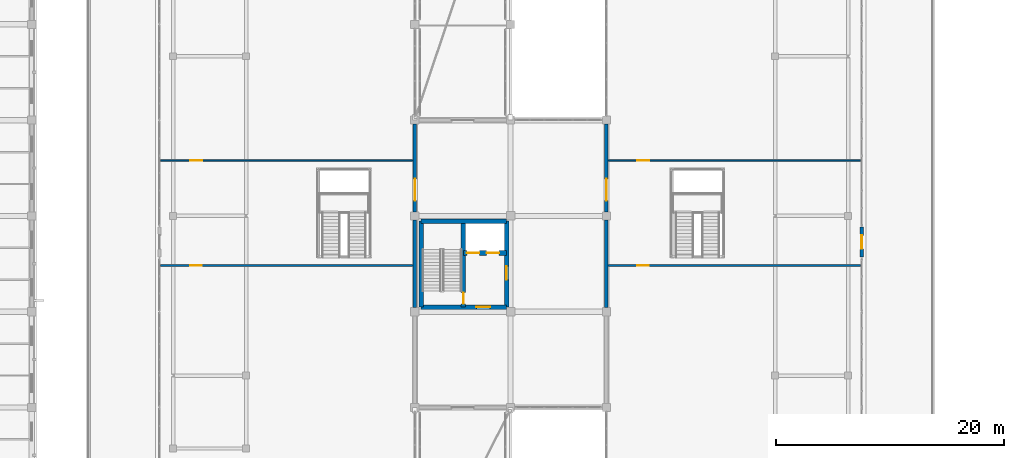
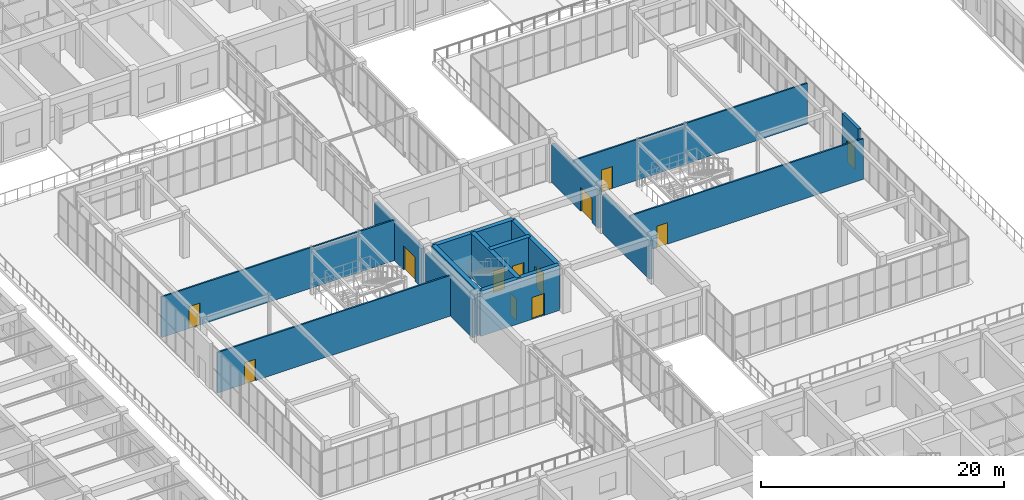
# One storey, part 124 of 158: 15 walls, 12 doors, 12 openings.
"""IFC4 building model written with IfcOpenShell, lengths in metres."""

from ifc_helpers import new_model, si_unit, direction, frame, frame_2d, origin, place, context, subcontext, project, spatial, rectangle, extrude, material, layer, layer_set, type_object, element, fill, save


model = new_model("IFC4")

# Units and contexts
model_context = context("Model", 3, precision=1e-05, world=origin(), true_north=direction((0.0, 1.0)))
body_context = subcontext(model_context, "Body", "Model", "MODEL_VIEW")
ifc_project = project(units=[si_unit("LENGTHUNIT", "METRE"), si_unit("AREAUNIT", "SQUARE_METRE"), si_unit("VOLUMEUNIT", "CUBIC_METRE"), si_unit("PLANEANGLEUNIT", "RADIAN"), si_unit("MASSUNIT", "GRAM", prefix="KILO")], contexts=[model_context])

# Site, building, storey
site_placement = place(None, origin())
site = spatial("IfcSite", under=ifc_project, at=site_placement, CompositionType="ELEMENT")
building_placement = place(site_placement, origin())
building = spatial("IfcBuilding", under=site, at=building_placement, Name="Trelvath General Hospital", CompositionType="ELEMENT")
storey_placement = place(building_placement, frame((0.0, 0.0, 8.10009765625)))
storey = spatial("IfcBuildingStorey", under=building, at=storey_placement, Name="L02", CompositionType="ELEMENT", Elevation=8.10009765625)

# Wall, opening, door
ifc_material_1 = material(Name="Gypsum acoustic steel-stud partition", Category="steel")
ifc_layer_1 = layer(ifc_material_1, 0.14990234375)
ifc_layer_set_1 = layer_set([ifc_layer_1], Name="Gypsum acoustic steel-stud partition")
wall_type_1 = type_object("IfcWallType", Name="ClinicalPartition 150", PredefinedType="PARTITIONING", material=ifc_layer_set_1)
wall_1_placement = place(storey_placement, frame((53.300048828125, 54.449951171875, 0.0), z_axis=(0.0, 0.0, 1.0), x_axis=(1.0, 0.0, 0.0)))
wall_1 = element("IfcWall", 1, at=wall_1_placement, inside=storey, type_object=wall_type_1, Name="Cube Clinic CUBE-W Partition L02-1050", PredefinedType="PARTITIONING", context=body_context, shape_type="SweptSolid", body=[
    extrude(rectangle(XDim=22.199951171875, YDim=0.14990234375, at=frame_2d((11.10009765625, 0.0))), origin(), (0.0, 0.0, 1.0), 4.08984375),
])
opening_1_placement = place(wall_1_placement, frame((2.60009765625, 0.0, 0.0)))
opening_1 = element("IfcOpeningElement", 2, at=opening_1_placement, cuts=wall_1, Name="Opening DC-2-0809", PredefinedType="OPENING", context=body_context, shape_type="SweptSolid", body=[
    extrude(rectangle(XDim=1.0, YDim=2.14990234375, at=frame_2d((0.5, 1.074951171875))), frame((0.0, 0.0849609375, 0.0), z_axis=(0.0, -1.0, 0.0), x_axis=(1.0, 0.0, 0.0)), (0.0, 0.0, 1.0), 0.169921875),
])
ifc_material_2 = material(Name="Acoustic hospital timber leaf", Category="wood")
door_type_1 = type_object("IfcDoorType", Name="Door Consult 1000x2150", OperationType="NOTDEFINED", PredefinedType="DOOR", material=ifc_material_2)
door_1_placement = place(opening_1_placement, origin())
door_1 = element("IfcDoor", 3, at=door_1_placement, inside=storey, type_object=door_type_1, Name="Cube Clinic CUBE-W Door L02-809", OperationType="SINGLE_SWING_LEFT", OverallHeight=2.14990234375, OverallWidth=1.0, PredefinedType="DOOR", context=body_context, shape_type="SweptSolid", body=[
    extrude(rectangle(XDim=1.0, YDim=2.14990234375, at=frame_2d((0.5, 1.074951171875))), frame((0.0, 0.02490234375, 0.0), z_axis=(0.0, -1.0, 0.0), x_axis=(1.0, 0.0, 0.0)), (0.0, 0.0, 1.0), 0.050048828125),
])
fill(opening_1, door_1)

wall_2_placement = place(storey_placement, frame((53.300048828125, 63.64990234375, 0.0), z_axis=(0.0, 0.0, 1.0), x_axis=(1.0, 0.0, 0.0)))
wall_2 = element("IfcWall", 4, at=wall_2_placement, inside=storey, type_object=wall_type_1, Name="Cube Clinic CUBE-W Partition L02-1051", PredefinedType="PARTITIONING", context=body_context, shape_type="SweptSolid", body=[
    extrude(rectangle(XDim=22.199951171875, YDim=0.14990234375, at=frame_2d((11.10009765625, 0.0))), origin(), (0.0, 0.0, 1.0), 4.08984375),
])
opening_2_placement = place(wall_2_placement, frame((2.60009765625, 0.0, 0.0)))
opening_2 = element("IfcOpeningElement", 5, at=opening_2_placement, cuts=wall_2, Name="Opening DC-2-0810", PredefinedType="OPENING", context=body_context, shape_type="SweptSolid", body=[
    extrude(rectangle(XDim=1.050048828125, YDim=2.199951171875, at=frame_2d((0.52490234375, 1.10009765625))), frame((0.0, 0.0849609375, 0.0), z_axis=(0.0, -1.0, 0.0), x_axis=(1.0, 0.0, 0.0)), (0.0, 0.0, 1.0), 0.169921875),
])
ifc_material_3 = material(Name="Acoustic hospital timber leaf", Category="wood")
door_type_2 = type_object("IfcDoorType", Name="Door Consult 1050x2200", OperationType="NOTDEFINED", PredefinedType="DOOR", material=ifc_material_3)
door_2_placement = place(opening_2_placement, origin())
door_2 = element("IfcDoor", 6, at=door_2_placement, inside=storey, type_object=door_type_2, Name="Cube Clinic CUBE-W Door L02-810", OperationType="SINGLE_SWING_RIGHT", OverallHeight=2.199951171875, OverallWidth=1.050048828125, PredefinedType="DOOR", context=body_context, shape_type="SweptSolid", body=[
    extrude(rectangle(XDim=1.050048828125, YDim=2.199951171875, at=frame_2d((0.52490234375, 1.10009765625))), frame((0.0, 0.02490234375, 0.0), z_axis=(0.0, -1.0, 0.0), x_axis=(1.0, 0.0, 0.0)), (0.0, 0.0, 1.0), 0.050048828125),
])
fill(opening_2, door_2)

wall_3_placement = place(storey_placement, frame((92.5, 54.449951171875, 0.0), z_axis=(0.0, 0.0, 1.0), x_axis=(1.0, 0.0, 0.0)))
wall_3 = element("IfcWall", 7, at=wall_3_placement, inside=storey, type_object=wall_type_1, Name="Cube Clinic CUBE-E Partition L02-1052", PredefinedType="PARTITIONING", context=body_context, shape_type="SweptSolid", body=[
    extrude(rectangle(XDim=22.199951171875, YDim=0.14990234375, at=frame_2d((11.10009765625, 0.0))), origin(), (0.0, 0.0, 1.0), 4.08984375),
])
opening_3_placement = place(wall_3_placement, frame((2.60009765625, 0.0, 0.0)))
opening_3 = element("IfcOpeningElement", 8, at=opening_3_placement, cuts=wall_3, Name="Opening DC-2-0811", PredefinedType="OPENING", context=body_context, shape_type="SweptSolid", body=[
    extrude(rectangle(XDim=1.0, YDim=2.14990234375, at=frame_2d((0.5, 1.074951171875))), frame((0.0, 0.0849609375, 0.0), z_axis=(0.0, -1.0, 0.0), x_axis=(1.0, 0.0, 0.0)), (0.0, 0.0, 1.0), 0.169921875),
])
door_3_placement = place(opening_3_placement, origin())
door_3 = element("IfcDoor", 9, at=door_3_placement, inside=storey, type_object=door_type_1, Name="Cube Clinic CUBE-E Door L02-811", OperationType="SINGLE_SWING_LEFT", OverallHeight=2.14990234375, OverallWidth=1.0, PredefinedType="DOOR", context=body_context, shape_type="SweptSolid", body=[
    extrude(rectangle(XDim=1.0, YDim=2.14990234375, at=frame_2d((0.5, 1.074951171875))), frame((0.0, 0.02490234375, 0.0), z_axis=(0.0, -1.0, 0.0), x_axis=(1.0, 0.0, 0.0)), (0.0, 0.0, 1.0), 0.050048828125),
])
fill(opening_3, door_3)

wall_4_placement = place(storey_placement, frame((92.5, 63.64990234375, 0.0), z_axis=(0.0, 0.0, 1.0), x_axis=(1.0, 0.0, 0.0)))
wall_4 = element("IfcWall", 10, at=wall_4_placement, inside=storey, type_object=wall_type_1, Name="Cube Clinic CUBE-E Partition L02-1053", PredefinedType="PARTITIONING", context=body_context, shape_type="SweptSolid", body=[
    extrude(rectangle(XDim=22.199951171875, YDim=0.14990234375, at=frame_2d((11.10009765625, 0.0))), origin(), (0.0, 0.0, 1.0), 4.08984375),
])
opening_4_placement = place(wall_4_placement, frame((2.60009765625, 0.0, 0.0)))
opening_4 = element("IfcOpeningElement", 11, at=opening_4_placement, cuts=wall_4, Name="Opening DC-2-0812", PredefinedType="OPENING", context=body_context, shape_type="SweptSolid", body=[
    extrude(rectangle(XDim=1.050048828125, YDim=2.199951171875, at=frame_2d((0.52490234375, 1.10009765625))), frame((0.0, 0.0849609375, 0.0), z_axis=(0.0, -1.0, 0.0), x_axis=(1.0, 0.0, 0.0)), (0.0, 0.0, 1.0), 0.169921875),
])
door_4_placement = place(opening_4_placement, origin())
door_4 = element("IfcDoor", 12, at=door_4_placement, inside=storey, type_object=door_type_2, Name="Cube Clinic CUBE-E Door L02-812", OperationType="SINGLE_SWING_RIGHT", OverallHeight=2.199951171875, OverallWidth=1.050048828125, PredefinedType="DOOR", context=body_context, shape_type="SweptSolid", body=[
    extrude(rectangle(XDim=1.050048828125, YDim=2.199951171875, at=frame_2d((0.52490234375, 1.10009765625))), frame((0.0, 0.02490234375, 0.0), z_axis=(0.0, -1.0, 0.0), x_axis=(1.0, 0.0, 0.0)), (0.0, 0.0, 1.0), 0.050048828125),
])
fill(opening_4, door_4)

ifc_material_4 = material(Name="Concrete C40/50", Category="concrete")
ifc_layer_2 = layer(ifc_material_4, 0.39990234375)
ifc_layer_set_2 = layer_set([ifc_layer_2], Name="Concrete C40/50")
wall_type_2 = type_object("IfcWallType", Name="CoreShearWall 400", PredefinedType="SHEAR", material=ifc_layer_set_2)
wall_5_placement = place(storey_placement, frame((76.14990234375, 50.800048828125, 0.0), z_axis=(0.0, 0.0, 1.0), x_axis=(1.0, 0.0, 0.0)))
wall_5 = element("IfcWall", 13, at=wall_5_placement, inside=storey, type_object=wall_type_2, Name="Core Shear Wall C6 S L02", PredefinedType="SHEAR", context=body_context, shape_type="SweptSolid", body=[
    extrude(rectangle(XDim=7.5, YDim=0.39990234375, at=frame_2d((3.75, 0.0))), origin(), (0.0, 0.0, 1.0), 4.52001953125),
])
opening_5_placement = place(wall_5_placement, frame((4.85009765625, 0.0, 0.0)))
opening_5 = element("IfcOpeningElement", 14, at=opening_5_placement, cuts=wall_5, Name="Opening FD-LS62", PredefinedType="OPENING", context=body_context, shape_type="SweptSolid", body=[
    extrude(rectangle(XDim=1.199951171875, YDim=2.199951171875, at=frame_2d((0.60009765625, 1.10009765625))), frame((0.0, 0.2099609375, 0.0), z_axis=(0.0, -1.0, 0.0), x_axis=(1.0, 0.0, 0.0)), (0.0, 0.0, 1.0), 0.419921875),
])
ifc_material_5 = material(Name="Fire-rated steel door", Category="steel")
door_type_3 = type_object("IfcDoorType", Name="Door FireLobby 1200x2200", OperationType="NOTDEFINED", PredefinedType="DOOR", material=ifc_material_5)
door_5_placement = place(opening_5_placement, origin())
door_5 = element("IfcDoor", 15, at=door_5_placement, inside=storey, type_object=door_type_3, Name="Fire Lobby South Concourse Door C6 L02", OperationType="SINGLE_SWING_LEFT", OverallHeight=2.199951171875, OverallWidth=1.199951171875, PredefinedType="DOOR", context=body_context, shape_type="SweptSolid", body=[
    extrude(rectangle(XDim=1.199951171875, YDim=2.199951171875, at=frame_2d((0.60009765625, 1.10009765625))), frame((0.0, 0.02490234375, 0.0), z_axis=(0.0, -1.0, 0.0), x_axis=(1.0, 0.0, 0.0)), (0.0, 0.0, 1.0), 0.050048828125),
])
fill(opening_5, door_5)

# Walls
wall_6_placement = place(storey_placement, frame((76.14990234375, 58.35009765625, 0.0), z_axis=(0.0, 0.0, 1.0), x_axis=(1.0, 0.0, 0.0)))
element("IfcWall", 16, at=wall_6_placement, inside=storey, type_object=wall_type_2, Name="Core Shear Wall C6 N L02", PredefinedType="SHEAR", context=body_context, shape_type="SweptSolid", body=[
    extrude(rectangle(XDim=7.5, YDim=0.39990234375, at=frame_2d((3.75, 0.0))), origin(), (0.0, 0.0, 1.0), 4.52001953125),
])
wall_7_placement = place(storey_placement, frame((76.14990234375, 50.800048828125, 0.0), z_axis=(0.0, 0.0, 1.0), x_axis=(0.0, 1.0, 0.0)))
element("IfcWall", 17, at=wall_7_placement, inside=storey, type_object=wall_type_2, Name="Core Shear Wall C6 W L02", PredefinedType="SHEAR", context=body_context, shape_type="SweptSolid", body=[
    extrude(rectangle(XDim=7.550048828125, YDim=0.39990234375, at=frame_2d((3.77490234375, 0.0))), origin(), (0.0, 0.0, 1.0), 4.52001953125),
])

# Wall, opening, door
wall_8_placement = place(storey_placement, frame((83.64990234375, 50.800048828125, 0.0), z_axis=(0.0, 0.0, 1.0), x_axis=(0.0, 1.0, 0.0)))
wall_8 = element("IfcWall", 18, at=wall_8_placement, inside=storey, type_object=wall_type_2, Name="Core Shear Wall C6 E L02", PredefinedType="SHEAR", context=body_context, shape_type="SweptSolid", body=[
    extrude(rectangle(XDim=7.550048828125, YDim=0.39990234375, at=frame_2d((3.77490234375, 0.0))), origin(), (0.0, 0.0, 1.0), 4.52001953125),
])
opening_6_placement = place(wall_8_placement, frame((2.39990234375, 0.0, 0.0)))
opening_6 = element("IfcOpeningElement", 19, at=opening_6_placement, cuts=wall_8, Name="Opening FD-LE62", PredefinedType="OPENING", context=body_context, shape_type="SweptSolid", body=[
    extrude(rectangle(XDim=1.199951171875, YDim=2.199951171875, at=frame_2d((0.60009765625, 1.10009765625))), frame((0.0, 0.2099609375, 0.0), z_axis=(0.0, -1.0, 0.0), x_axis=(1.0, 0.0, 0.0)), (0.0, 0.0, 1.0), 0.419921875),
])
door_6_placement = place(opening_6_placement, origin())
door_6 = element("IfcDoor", 20, at=door_6_placement, inside=storey, type_object=door_type_3, Name="Fire Lobby East Corridor Door C6 L02", OperationType="SINGLE_SWING_RIGHT", OverallHeight=2.199951171875, OverallWidth=1.199951171875, PredefinedType="DOOR", context=body_context, shape_type="SweptSolid", body=[
    extrude(rectangle(XDim=1.199951171875, YDim=2.199951171875, at=frame_2d((0.60009765625, 1.10009765625))), frame((0.0, 0.02490234375, 0.0), z_axis=(0.0, -1.0, 0.0), x_axis=(1.0, 0.0, 0.0)), (0.0, 0.0, 1.0), 0.050048828125),
])
fill(opening_6, door_6)

wall_9_placement = place(storey_placement, frame((79.85009765625, 50.800048828125, 0.0), z_axis=(0.0, 0.0, 1.0), x_axis=(0.0, 1.0, 0.0)))
wall_9 = element("IfcWall", 21, at=wall_9_placement, inside=storey, type_object=wall_type_2, Name="Core Shear Wall C6 SPINE L02", PredefinedType="SHEAR", context=body_context, shape_type="SweptSolid", body=[
    extrude(rectangle(XDim=7.550048828125, YDim=0.39990234375, at=frame_2d((3.77490234375, 0.0))), origin(), (0.0, 0.0, 1.0), 4.52001953125),
])
opening_7_placement = place(wall_9_placement, frame((0.280029296875, 0.0, 0.0)))
opening_7 = element("IfcOpeningElement", 22, at=opening_7_placement, cuts=wall_9, Name="Opening FD-S62", PredefinedType="OPENING", context=body_context, shape_type="SweptSolid", body=[
    extrude(rectangle(XDim=1.0, YDim=2.14990234375, at=frame_2d((0.5, 1.074951171875))), frame((0.0, 0.2099609375, 0.0), z_axis=(0.0, -1.0, 0.0), x_axis=(1.0, 0.0, 0.0)), (0.0, 0.0, 1.0), 0.419921875),
])
ifc_material_6 = material(Name="Fire-rated steel door", Category="steel")
door_type_4 = type_object("IfcDoorType", Name="Door FireStair 1100x2150", OperationType="NOTDEFINED", PredefinedType="DOOR", material=ifc_material_6)
door_7_placement = place(opening_7_placement, origin())
door_7 = element("IfcDoor", 23, at=door_7_placement, inside=storey, type_object=door_type_4, Name="Exit Stair Door ST6 L02", OperationType="SINGLE_SWING_RIGHT", OverallHeight=2.14990234375, OverallWidth=1.0, PredefinedType="DOOR", context=body_context, shape_type="SweptSolid", body=[
    extrude(rectangle(XDim=1.0, YDim=2.14990234375, at=frame_2d((0.5, 1.074951171875))), frame((0.0, 0.02490234375, 0.0), z_axis=(0.0, -1.0, 0.0), x_axis=(1.0, 0.0, 0.0)), (0.0, 0.0, 1.0), 0.050048828125),
])
fill(opening_7, door_7)

# Wall, openings, doors
wall_10_placement = place(storey_placement, frame((79.85009765625, 55.550048828125, 0.0), z_axis=(0.0, 0.0, 1.0), x_axis=(1.0, 0.0, 0.0)))
wall_10 = element("IfcWall", 24, at=wall_10_placement, inside=storey, type_object=wall_type_2, Name="Core Shear Wall C6 SHAFT L02", PredefinedType="SHEAR", context=body_context, shape_type="SweptSolid", body=[
    extrude(rectangle(XDim=3.7998046875, YDim=0.39990234375, at=frame_2d((1.89990234375, 0.0))), origin(), (0.0, 0.0, 1.0), 4.52001953125),
])
opening_8_placement = place(wall_10_placement, frame((0.320068359375, 0.0, 0.0)))
opening_8 = element("IfcOpeningElement", 25, at=opening_8_placement, cuts=wall_10, Name="Opening LD-PA3-2", PredefinedType="OPENING", context=body_context, shape_type="SweptSolid", body=[
    extrude(rectangle(XDim=1.10009765625, YDim=2.14990234375, at=frame_2d((0.550048828125, 1.074951171875))), frame((0.0, 0.2099609375, 0.0), z_axis=(0.0, -1.0, 0.0), x_axis=(1.0, 0.0, 0.0)), (0.0, 0.0, 1.0), 0.419921875),
])
opening_9_placement = place(wall_10_placement, frame((2.0400390625, 0.0, 0.0)))
opening_9 = element("IfcOpeningElement", 26, at=opening_9_placement, cuts=wall_10, Name="Opening LD-PA4-2", PredefinedType="OPENING", context=body_context, shape_type="SweptSolid", body=[
    extrude(rectangle(XDim=1.10009765625, YDim=2.14990234375, at=frame_2d((0.550048828125, 1.074951171875))), frame((0.0, 0.2099609375, 0.0), z_axis=(0.0, -1.0, 0.0), x_axis=(1.0, 0.0, 0.0)), (0.0, 0.0, 1.0), 0.419921875),
])
ifc_material_7 = material(Name="Stainless steel lift landing sliding door", Category="steel")
door_type_5 = type_object("IfcDoorType", Name="Door LiftLanding 1100x2150", OperationType="SLIDING_TO_LEFT", PredefinedType="DOOR", material=ifc_material_7)
door_8_placement = place(opening_8_placement, origin())
door_8 = element("IfcDoor", 27, at=door_8_placement, inside=storey, type_object=door_type_5, Name="Lift Landing Sliding Door LF-PA3 L02", OperationType="SLIDING_TO_LEFT", OverallHeight=2.14990234375, OverallWidth=1.10009765625, PredefinedType="DOOR", context=body_context, shape_type="SweptSolid", body=[
    extrude(rectangle(XDim=1.10009765625, YDim=2.14990234375, at=frame_2d((0.550048828125, 1.074951171875))), frame((0.0, 0.02490234375, 0.0), z_axis=(0.0, -1.0, 0.0), x_axis=(1.0, 0.0, 0.0)), (0.0, 0.0, 1.0), 0.050048828125),
])
fill(opening_8, door_8)
door_9_placement = place(opening_9_placement, origin())
door_9 = element("IfcDoor", 28, at=door_9_placement, inside=storey, type_object=door_type_5, Name="Lift Landing Sliding Door LF-PA4 L02", OperationType="SLIDING_TO_LEFT", OverallHeight=2.14990234375, OverallWidth=1.10009765625, PredefinedType="DOOR", context=body_context, shape_type="SweptSolid", body=[
    extrude(rectangle(XDim=1.10009765625, YDim=2.14990234375, at=frame_2d((0.550048828125, 1.074951171875))), frame((0.0, 0.02490234375, 0.0), z_axis=(0.0, -1.0, 0.0), x_axis=(1.0, 0.0, 0.0)), (0.0, 0.0, 1.0), 0.050048828125),
])
fill(opening_9, door_9)

# Wall, opening, door
ifc_material_8 = material(Name="Concrete C35/45", Category="concrete")
ifc_layer_3 = layer(ifc_material_8, 0.2900390625)
ifc_layer_set_3 = layer_set([ifc_layer_3], Name="Concrete C35/45")
wall_type_3 = type_object("IfcWallType", Name="ExtBushHammeredWall 290", PredefinedType="SOLIDWALL", material=ifc_layer_set_3)
wall_11_placement = place(storey_placement, frame((114.800048828125, 57.820068359375, 0.0), z_axis=(0.0, 0.0, 1.0), x_axis=(0.0, -1.0, 0.0)))
wall_11 = element("IfcWall", 29, at=wall_11_placement, inside=storey, type_object=wall_type_3, Name="Crystal Cube Terrace Portal CUBE-E-T1 L02", PredefinedType="SOLIDWALL", context=body_context, shape_type="SweptSolid", body=[
    extrude(rectangle(XDim=2.64013671875, YDim=0.2900390625, at=frame_2d((1.320068359375, 0.0))), origin(), (0.0, 0.0, 1.0), 4.559814453125),
])
opening_10_placement = place(wall_11_placement, frame((0.719970703125, 0.0, 0.0)))
opening_10 = element("IfcOpeningElement", 30, at=opening_10_placement, cuts=wall_11, Name="Opening TD-C72", PredefinedType="OPENING", context=body_context, shape_type="SweptSolid", body=[
    extrude(rectangle(XDim=1.199951171875, YDim=2.25, at=frame_2d((0.60009765625, 1.125))), frame((0.0, 0.155029296875, 0.0), z_axis=(0.0, -1.0, 0.0), x_axis=(1.0, 0.0, 0.0)), (0.0, 0.0, 1.0), 0.31005859375),
])
ifc_material_9 = material(Name="Thermally broken glazed aluminium door", Category="aluminium")
door_type_6 = type_object("IfcDoorType", Name="Door Terrace 1200x2250", OperationType="NOTDEFINED", PredefinedType="DOOR", material=ifc_material_9)
door_10_placement = place(opening_10_placement, origin())
door_10 = element("IfcDoor", 31, at=door_10_placement, inside=storey, type_object=door_type_6, Name="Crystal Cube Planted Terrace Door CUBE-E-T1 L02", OperationType="SINGLE_SWING_RIGHT", OverallHeight=2.25, OverallWidth=1.199951171875, PredefinedType="DOOR", context=body_context, shape_type="SweptSolid", body=[
    extrude(rectangle(XDim=1.199951171875, YDim=2.25, at=frame_2d((0.60009765625, 1.125))), frame((0.0, 0.02490234375, 0.0), z_axis=(0.0, -1.0, 0.0), x_axis=(1.0, 0.0, 0.0)), (0.0, 0.0, 1.0), 0.050048828125),
])
fill(opening_10, door_10)

# Wall
ifc_material_10 = material(Name="Concrete C35/45", Category="concrete")
ifc_layer_4 = layer(ifc_material_10, 0.320068359375)
ifc_layer_set_4 = layer_set([ifc_layer_4], Name="Concrete C35/45")
wall_type_4 = type_object("IfcWallType", Name="ExtThermalWall 320", PredefinedType="SOLIDWALL", material=ifc_layer_set_4)
wall_12_placement = place(storey_placement, frame((75.60009765625, 50.7548828125, 0.0), z_axis=(0.0, 0.0, 1.0), x_axis=(0.0, 1.0, 0.0)))
element("IfcWall", 32, at=wall_12_placement, inside=storey, type_object=wall_type_4, Name="Exterior Concrete Wall L02-270", PredefinedType="SOLIDWALL", context=body_context, shape_type="SweptSolid", body=[
    extrude(rectangle(XDim=7.690185546875, YDim=0.320068359375, at=frame_2d((3.84521484375, 0.0))), origin(), (0.0, 0.0, 1.0), 3.85986328125),
])

# Wall, opening, door
wall_13_placement = place(storey_placement, frame((75.60009765625, 59.155029296875, 0.0), z_axis=(0.0, 0.0, 1.0), x_axis=(0.0, 1.0, 0.0)))
wall_13 = element("IfcWall", 33, at=wall_13_placement, inside=storey, type_object=wall_type_4, Name="Exterior Concrete Wall L02-272", PredefinedType="SOLIDWALL", context=body_context, shape_type="SweptSolid", body=[
    extrude(rectangle(XDim=7.68994140625, YDim=0.320068359375, at=frame_2d((3.844970703125, 0.0))), origin(), (0.0, 0.0, 1.0), 3.85986328125),
])
opening_11_placement = place(wall_13_placement, frame((0.9951171875, 0.0, 0.0)))
opening_11 = element("IfcOpeningElement", 34, at=opening_11_placement, cuts=wall_13, Name="Opening CP-2-045", PredefinedType="OPENING", context=body_context, shape_type="SweptSolid", body=[
    extrude(rectangle(XDim=1.89990234375, YDim=2.39990234375, at=frame_2d((0.949951171875, 1.199951171875))), frame((0.0, 0.169921875, 0.0), z_axis=(0.0, -1.0, 0.0), x_axis=(1.0, 0.0, 0.0)), (0.0, 0.0, 1.0), 0.340087890625),
])
ifc_material_11 = material(Name="Thermally broken glazed aluminium pair", Category="aluminium")
door_type_7 = type_object("IfcDoorType", Name="Door BridgeEntry 1900x2400", OperationType="DOUBLE_SWING_LEFT", PredefinedType="DOOR", material=ifc_material_11)
door_11_placement = place(opening_11_placement, origin())
door_11 = element("IfcDoor", 35, at=door_11_placement, inside=storey, type_object=door_type_7, Name="Crystal Cube Concourse Portal Door L02-45", OperationType="DOUBLE_SWING_LEFT", OverallHeight=2.39990234375, OverallWidth=1.89990234375, PredefinedType="DOOR", context=body_context, shape_type="SweptSolid", body=[
    extrude(rectangle(XDim=1.89990234375, YDim=2.39990234375, at=frame_2d((0.949951171875, 1.199951171875))), frame((0.0, 0.02490234375, 0.0), z_axis=(0.0, -1.0, 0.0), x_axis=(1.0, 0.0, 0.0)), (0.0, 0.0, 1.0), 0.050048828125),
])
fill(opening_11, door_11)

# Wall
wall_14_placement = place(storey_placement, frame((92.39990234375, 58.445068359375, 0.0), z_axis=(0.0, 0.0, 1.0), x_axis=(0.0, -1.0, 0.0)))
element("IfcWall", 36, at=wall_14_placement, inside=storey, type_object=wall_type_4, Name="Exterior Concrete Wall L02-278", PredefinedType="SOLIDWALL", context=body_context, shape_type="SweptSolid", body=[
    extrude(rectangle(XDim=7.690185546875, YDim=0.320068359375, at=frame_2d((3.84521484375, 0.0))), origin(), (0.0, 0.0, 1.0), 3.85986328125),
])

# Wall, opening, door
wall_15_placement = place(storey_placement, frame((92.39990234375, 66.844970703125, 0.0), z_axis=(0.0, 0.0, 1.0), x_axis=(0.0, -1.0, 0.0)))
wall_15 = element("IfcWall", 37, at=wall_15_placement, inside=storey, type_object=wall_type_4, Name="Exterior Concrete Wall L02-279", PredefinedType="SOLIDWALL", context=body_context, shape_type="SweptSolid", body=[
    extrude(rectangle(XDim=7.68994140625, YDim=0.320068359375, at=frame_2d((3.844970703125, 0.0))), origin(), (0.0, 0.0, 1.0), 3.85986328125),
])
opening_12_placement = place(wall_15_placement, frame((4.794921875, 0.0, 0.0)))
opening_12 = element("IfcOpeningElement", 38, at=opening_12_placement, cuts=wall_15, Name="Opening CP-2-047", PredefinedType="OPENING", context=body_context, shape_type="SweptSolid", body=[
    extrude(rectangle(XDim=1.89990234375, YDim=2.39990234375, at=frame_2d((0.949951171875, 1.199951171875))), frame((0.0, 0.169921875, 0.0), z_axis=(0.0, -1.0, 0.0), x_axis=(1.0, 0.0, 0.0)), (0.0, 0.0, 1.0), 0.340087890625),
])
door_12_placement = place(opening_12_placement, origin())
door_12 = element("IfcDoor", 39, at=door_12_placement, inside=storey, type_object=door_type_7, Name="Crystal Cube Concourse Portal Door L02-47", OperationType="DOUBLE_SWING_LEFT", OverallHeight=2.39990234375, OverallWidth=1.89990234375, PredefinedType="DOOR", context=body_context, shape_type="SweptSolid", body=[
    extrude(rectangle(XDim=1.89990234375, YDim=2.39990234375, at=frame_2d((0.949951171875, 1.199951171875))), frame((0.0, 0.02490234375, 0.0), z_axis=(0.0, -1.0, 0.0), x_axis=(1.0, 0.0, 0.0)), (0.0, 0.0, 1.0), 0.050048828125),
])
fill(opening_12, door_12)

save(model, "model.ifc")
